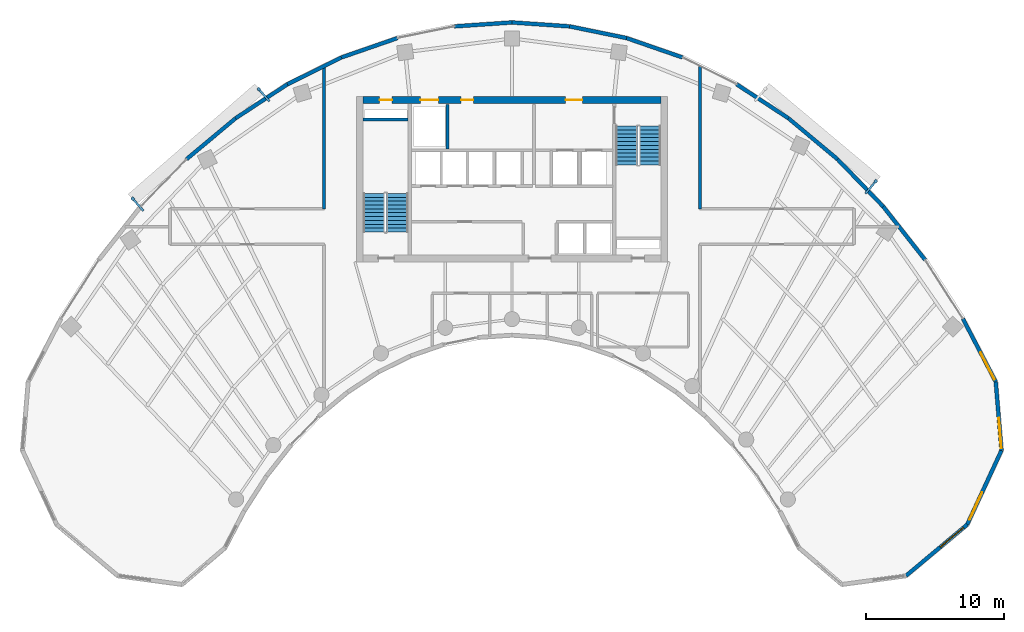
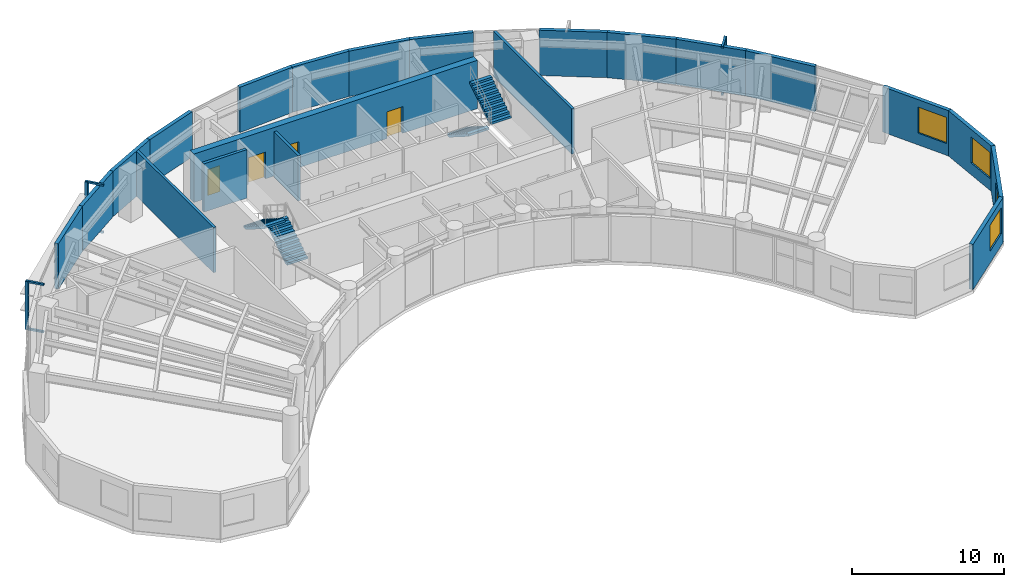
# One storey, part 10 of 13: 21 walls, 9 discrete accessories, 4 doors, 4 stair flights, 4 windows, 8 openings, 2 elements without a shape of their own.
"""IFC4 building model written with IfcOpenShell, lengths in metres."""

import ifcopenshell
import ifcopenshell.guid

model = None  # the IFC model being written
_history = None  # IfcOwnerHistory: only IFC2X3 demands one
_inside = {}  # id of a spatial element -> (the spatial element, [elements in it])
_under = {}  # id of a project, library or spatial element -> (it, [spatial elements below it])
_declared = {}  # id of a project -> (the project, [libraries it declares])
_typed = {}  # id of a type object -> (the type object, [elements of that type])
_made_of = {}  # id of a material, layer set ... -> (it, [elements and type objects made of it])


def new_model(schema):
    """Start an empty IFC model of exactly this schema.

    Asked for "IFC4X3", IfcOpenShell would pick the latest addendum, in which some entities
    have other attributes; the version numbers below select the first issue.
    IFC2X3 requires an IfcOwnerHistory on every rooted entity: one is made here for all.
    """
    global model, _history
    if schema == "IFC4X3":
        model = ifcopenshell.file(schema_version=(4, 3, 0, 0))
    else:
        model = ifcopenshell.file(schema=schema)
    _inside.clear()
    _under.clear()
    _declared.clear()
    _typed.clear()
    _made_of.clear()
    _history = None
    if model.schema == "IFC2X3":
        org = make("IfcOrganization", Name="unknown")
        user = make(
            "IfcPersonAndOrganization",
            ThePerson=make("IfcPerson", FamilyName="unknown"),
            TheOrganization=org,
        )
        app = make(
            "IfcApplication",
            ApplicationDeveloper=org,
            Version="unknown",
            ApplicationFullName="unknown",
            ApplicationIdentifier="unknown",
        )
        _history = make(
            "IfcOwnerHistory",
            OwningUser=user,
            OwningApplication=app,
            ChangeAction="ADDED",
            CreationDate=0,
        )
    return model


def make(cls, **values):
    """One entity of the class cls with the attributes given. An attribute that is None is left unset."""
    return model.create_entity(
        cls, **{name: value for name, value in values.items() if value is not None}
    )


def rooted(cls, **values):
    """An entity with a GlobalId (a new one), such as an element, a storey or a relation."""
    return make(cls, GlobalId=ifcopenshell.guid.new(), OwnerHistory=_history, **values)


def si_unit(unit_type, name, prefix=None):
    """IfcSIUnit, for example si_unit("LENGTHUNIT", "METRE", prefix="MILLI")."""
    return make("IfcSIUnit", UnitType=unit_type, Prefix=prefix, Name=name)


def assignment(units):
    """IfcUnitAssignment: the units of a project."""
    return None if units is None else make("IfcUnitAssignment", Units=units)


def point(xyz):
    """IfcCartesianPoint."""
    return None if xyz is None else make("IfcCartesianPoint", Coordinates=xyz)


def direction(xyz):
    """IfcDirection."""
    return None if xyz is None else make("IfcDirection", DirectionRatios=xyz)


def frame(location, z_axis=None, x_axis=None):
    """IfcAxis2Placement3D, a coordinate frame: its origin and axes. An axis left out is left unset."""
    return make(
        "IfcAxis2Placement3D",
        Location=point(location),
        Axis=direction(z_axis),
        RefDirection=direction(x_axis),
    )


def frame_2d(location, x_axis=None):
    """IfcAxis2Placement2D, a coordinate frame in the plane: its origin and x axis."""
    return make(
        "IfcAxis2Placement2D", Location=point(location), RefDirection=direction(x_axis)
    )


def origin():
    """The frame at (0, 0, 0) with its axes left unset."""
    return frame((0.0, 0.0, 0.0))


def origin_2d():
    """The frame at (0, 0) in the plane with its x axis left unset."""
    return frame_2d((0.0, 0.0))


def place(relative_to, where):
    """IfcLocalPlacement: puts the frame where relative to a parent placement (None: the world)."""
    return make(
        "IfcLocalPlacement", PlacementRelTo=relative_to, RelativePlacement=where
    )


def context(
    kind, dimensions, precision=None, world=None, true_north=None, identifier=None
):
    """IfcGeometricRepresentationContext, for example the 3D "Model" context."""
    return make(
        "IfcGeometricRepresentationContext",
        ContextIdentifier=identifier,
        ContextType=kind,
        CoordinateSpaceDimension=dimensions,
        Precision=precision,
        WorldCoordinateSystem=world,
        TrueNorth=true_north,
    )


def subcontext(parent, identifier, kind, view, scale=None):
    """IfcGeometricRepresentationSubContext, for example "Body" below "Model"."""
    return make(
        "IfcGeometricRepresentationSubContext",
        ContextIdentifier=identifier,
        ContextType=kind,
        ParentContext=parent,
        TargetScale=scale,
        TargetView=view,
    )


def project(units=None, contexts=None):
    """IfcProject with its units and contexts."""
    return rooted(
        "IfcProject",
        Name="project",
        RepresentationContexts=contexts,
        UnitsInContext=assignment(units),
    )


def spatial(cls, under=None, at=None, **own):
    """A site, building, storey or space (cls), placed at a placement, below another one or the project."""
    s = rooted(cls, ObjectPlacement=at, **own)
    if under is not None:
        _under.setdefault(under.id(), (under, []))[1].append(s)
    return s


def polyline(points):
    """IfcPolyline through the points."""
    return make("IfcPolyline", Points=[point(p) for p in points])


def profile(cls, at=None, kind="AREA", **sizes):
    """A parametric profile (cls). Its sizes go by their IFC names, for example OverallWidth=200.0."""
    return make(cls, ProfileType=kind, Position=at, **sizes)


def rectangle(**sizes):
    """IfcRectangleProfileDef."""
    return profile("IfcRectangleProfileDef", **sizes)


def outline(outer, holes=None, kind="AREA"):
    """IfcArbitraryClosedProfileDef: a profile drawn as a closed curve; with holes, ...WithVoids."""
    if holes is None:
        return make("IfcArbitraryClosedProfileDef", ProfileType=kind, OuterCurve=outer)
    return make(
        "IfcArbitraryProfileDefWithVoids",
        ProfileType=kind,
        OuterCurve=outer,
        InnerCurves=holes,
    )


def extrude(swept, where, along, depth):
    """IfcExtrudedAreaSolid: the profile swept, set in the frame where, extruded along a direction by depth."""
    return make(
        "IfcExtrudedAreaSolid",
        SweptArea=swept,
        Position=where,
        ExtrudedDirection=direction(along),
        Depth=depth,
    )


def shape(context_of_items, identifier, shape_type, items):
    """IfcShapeRepresentation: the items that make up one representation, for example the "Body"."""
    return make(
        "IfcShapeRepresentation",
        ContextOfItems=context_of_items,
        RepresentationIdentifier=identifier,
        RepresentationType=shape_type,
        Items=items,
    )


def source(mapping_origin, context_of_items, identifier, shape_type, items):
    """IfcRepresentationMap: a shape defined once, which mapped items show again and again."""
    return make(
        "IfcRepresentationMap",
        MappingOrigin=mapping_origin,
        MappedRepresentation=shape(context_of_items, identifier, shape_type, items),
    )


def transform(
    local_origin,
    x_axis=None,
    y_axis=None,
    z_axis=None,
    scale=None,
    scale2=None,
    scale3=None,
    uniform=True,
):
    """IfcCartesianTransformationOperator3D, or its non-uniform kind. x_axis, y_axis, z_axis: its Axis1, 2, 3."""
    if uniform:
        return make(
            "IfcCartesianTransformationOperator3D",
            Axis1=direction(x_axis),
            Axis2=direction(y_axis),
            LocalOrigin=point(local_origin),
            Scale=scale,
            Axis3=direction(z_axis),
        )
    return make(
        "IfcCartesianTransformationOperator3DnonUniform",
        Axis1=direction(x_axis),
        Axis2=direction(y_axis),
        LocalOrigin=point(local_origin),
        Scale=scale,
        Axis3=direction(z_axis),
        Scale2=scale2,
        Scale3=scale3,
    )


def mapped(mapping_source, mapping_target):
    """IfcMappedItem: shows the shape of a source again, moved by a transform."""
    return make(
        "IfcMappedItem", MappingSource=mapping_source, MappingTarget=mapping_target
    )


def material(Name=None, Category=None):
    """IfcMaterial."""
    return make("IfcMaterial", Name=Name, Category=Category)


def layer(
    of_material, thickness, ventilated=None, Name=None, Category=None, Priority=None
):
    """IfcMaterialLayer: one layer of a wall or slab, of a material (None: an air gap)."""
    return make(
        "IfcMaterialLayer",
        Material=of_material,
        LayerThickness=thickness,
        IsVentilated=ventilated,
        Name=Name,
        Category=Category,
        Priority=Priority,
    )


def layer_set(layers, Name=None):
    """IfcMaterialLayerSet."""
    return make("IfcMaterialLayerSet", MaterialLayers=layers, LayerSetName=Name)


def made_of(thing, what):
    """Note that an element or type object is made of a material, layer set ...; save() writes the relation."""
    if what is not None:
        _made_of.setdefault(what.id(), (what, []))[1].append(thing)
    return thing


def type_object(cls, material=None, **own):
    """A type object (cls), such as IfcWallType, which elements share."""
    return made_of(rooted(cls, **own), material)


def type_shapes(of_type, sources):
    """Give a type object the sources (RepresentationMaps) that its elements show as mapped items."""
    of_type.RepresentationMaps = sources


def element(
    cls,
    number,
    at=None,
    inside=None,
    cuts=None,
    type_object=None,
    material=None,
    context=None,
    identifier="Body",
    shape_type=None,
    held_by="IfcProductDefinitionShape",
    body=None,
    shapes=None,
    **own,
):
    """One element of the class cls, such as IfcWall. Its Tag is "e" and its number.

    at: its placement. inside: the storey or other place that contains it. cuts: it is an
    opening in that element (IfcRelVoidsElement). A single representation is given by context,
    identifier, shape_type and body (its items); several are given by shapes. held_by: the class
    of the entity that holds the representations. save() writes the other relations.
    """
    e = rooted(cls, Tag="e%d" % number, ObjectPlacement=at, **own)
    if body is not None:
        shapes = [shape(context, identifier, shape_type, body)]
    if shapes is not None:
        e.Representation = make(held_by, Representations=shapes)
    if inside is not None:
        _inside.setdefault(inside.id(), (inside, []))[1].append(e)
    if cuts is not None:
        rooted(
            "IfcRelVoidsElement", RelatingBuildingElement=cuts, RelatedOpeningElement=e
        )
    if type_object is not None:
        _typed.setdefault(type_object.id(), (type_object, []))[1].append(e)
    return made_of(e, material)


def fill(opening, filler):
    """IfcRelFillsElement: the door or window that sits in an opening."""
    return rooted(
        "IfcRelFillsElement",
        RelatingOpeningElement=opening,
        RelatedBuildingElement=filler,
    )


def aggregate(whole, parts):
    """IfcRelAggregates: a whole, such as a stair, and the parts it consists of."""
    return rooted("IfcRelAggregates", RelatingObject=whole, RelatedObjects=parts)


def save(model, path):
    """Write the relations noted so far, then the file.

    IfcRelAggregates (storeys below a building ...), IfcRelContainedInSpatialStructure (elements
    in a storey), IfcRelDefinesByType, IfcRelAssociatesMaterial and IfcRelDeclares: one each for
    every whole, place, type object, material and project.
    """
    for whole, parts in _under.values():
        aggregate(whole, parts)
    for where, things in _inside.values():
        rooted(
            "IfcRelContainedInSpatialStructure",
            RelatedElements=things,
            RelatingStructure=where,
        )
    for kind, things in _typed.values():
        rooted("IfcRelDefinesByType", RelatedObjects=things, RelatingType=kind)
    for what, things in _made_of.values():
        rooted("IfcRelAssociatesMaterial", RelatedObjects=things, RelatingMaterial=what)
    for by, libraries in _declared.values():
        rooted("IfcRelDeclares", RelatingContext=by, RelatedDefinitions=libraries)
    model.write(path)


model = new_model("IFC4")

# Units and contexts
model_context = context("Model", 3, precision=1e-05, world=origin(), true_north=direction((0.0, 1.0)))
body_context = subcontext(model_context, "Body", "Model", "MODEL_VIEW")
ifc_project = project(units=[si_unit("LENGTHUNIT", "METRE"), si_unit("AREAUNIT", "SQUARE_METRE"), si_unit("VOLUMEUNIT", "CUBIC_METRE"), si_unit("PLANEANGLEUNIT", "RADIAN"), si_unit("MASSUNIT", "GRAM", prefix="KILO")], contexts=[model_context])

# Site, building, storey
site_placement = place(None, origin())
site = spatial("IfcSite", under=ifc_project, at=site_placement, CompositionType="ELEMENT")
building_placement = place(site_placement, origin())
building = spatial("IfcBuilding", under=site, at=building_placement, Name="Breltana Convention Tower", CompositionType="ELEMENT")
storey_placement = place(building_placement, frame((0.0, 0.0, 162.300048828125)))
storey = spatial("IfcBuildingStorey", under=building, at=storey_placement, Name="L39", CompositionType="ELEMENT", Elevation=162.300048828125)

# Wall, openings, doors
ifc_material_1 = material(Name="Concrete C60/75", Category="concrete")
ifc_layer_1 = layer(ifc_material_1, 0.5, Name="Concrete C60/75")
ifc_layer_set_1 = layer_set([ifc_layer_1], Name="Concrete C60/75")
wall_type_1 = type_object("IfcWallType", Name="SW-CORE-500", PredefinedType="SHEAR", material=ifc_layer_set_1)
shared_shape_1 = source(origin(), body_context, "Body", "SweptSolid", [
    extrude(rectangle(XDim=21.60009765625, YDim=0.5, at=frame_2d((10.800048828125, 0.0))), origin(), (0.0, 0.0, 1.0), 3.89990234375),
])
wall_1_placement = place(storey_placement, frame((37.199951171875, 71.949951171875, 0.0), z_axis=(0.0, 0.0, 1.0), x_axis=(1.0, 0.0, 0.0)))
wall_1 = element("IfcWall", 1, at=wall_1_placement, inside=storey, type_object=wall_type_1, Name="L39 North Core Shear Wall", PredefinedType="SHEAR", context=body_context, shape_type="MappedRepresentation", body=[
    mapped(shared_shape_1, transform((0.0, 0.0, 0.0), scale=1.0)),
])
opening_1_placement = place(wall_1_placement, frame((1.199951171875, 0.0, 0.0)))
opening_1 = element("IfcOpeningElement", 2, at=opening_1_placement, cuts=wall_1, Name="Opening D-18", PredefinedType="OPENING", context=body_context, shape_type="SweptSolid", body=[
    extrude(rectangle(XDim=0.89990234375, YDim=2.10009765625, at=frame_2d((0.449951171875, 1.050048828125))), frame((0.0, 0.260009765625, 0.0), z_axis=(0.0, -1.0, 0.0), x_axis=(1.0, 0.0, 0.0)), (0.0, 0.0, 1.0), 0.52001953125),
])
opening_2_placement = place(wall_1_placement, frame((14.699951171875, 0.0, 0.0)))
opening_2 = element("IfcOpeningElement", 3, at=opening_2_placement, cuts=wall_1, Name="Opening D-09", PredefinedType="OPENING", context=body_context, shape_type="SweptSolid", body=[
    extrude(rectangle(XDim=1.199951171875, YDim=2.14990234375, at=frame_2d((0.60009765625, 1.074951171875))), frame((0.0, 0.260009765625, 0.0), z_axis=(0.0, -1.0, 0.0), x_axis=(1.0, 0.0, 0.0)), (0.0, 0.0, 1.0), 0.52001953125),
])
opening_3_placement = place(wall_1_placement, frame((4.14990234375, 0.0, 0.0)))
opening_3 = element("IfcOpeningElement", 4, at=opening_3_placement, cuts=wall_1, Name="Opening LD-01", PredefinedType="OPENING", context=body_context, shape_type="SweptSolid", body=[
    extrude(rectangle(XDim=1.300048828125, YDim=2.14990234375, at=frame_2d((0.64990234375, 1.074951171875))), frame((0.0, 0.260009765625, 0.0), z_axis=(0.0, -1.0, 0.0), x_axis=(1.0, 0.0, 0.0)), (0.0, 0.0, 1.0), 0.52001953125),
])
opening_4_placement = place(wall_1_placement, frame((7.10009765625, 0.0, 0.0)))
opening_4 = element("IfcOpeningElement", 5, at=opening_4_placement, cuts=wall_1, Name="Opening D-18", PredefinedType="OPENING", context=body_context, shape_type="SweptSolid", body=[
    extrude(rectangle(XDim=0.89990234375, YDim=2.10009765625, at=frame_2d((0.449951171875, 1.050048828125))), frame((0.0, 0.260009765625, 0.0), z_axis=(0.0, -1.0, 0.0), x_axis=(1.0, 0.0, 0.0)), (0.0, 0.0, 1.0), 0.52001953125),
])
ifc_material_2 = material(Name="Steel Riser Fire Door", Category="steel")
door_type_1 = type_object("IfcDoorType", Name="DR-FD60-900", OperationType="NOTDEFINED", PredefinedType="DOOR", material=ifc_material_2)
shared_shape_2 = source(origin(), body_context, "Body", "SweptSolid", [
    extrude(rectangle(XDim=0.89990234375, YDim=2.10009765625, at=frame_2d((0.449951171875, 1.050048828125))), frame((0.0, 0.02490234375, 0.0), z_axis=(0.0, -1.0, 0.0), x_axis=(1.0, 0.0, 0.0)), (0.0, 0.0, 1.0), 0.050048828125),
])
type_shapes(door_type_1, [shared_shape_2])
door_1_placement = place(opening_1_placement, origin())
door_1 = element("IfcDoor", 6, at=door_1_placement, inside=storey, type_object=door_type_1, Name="L39 Core Riser Access Door D-L39-RS1", OperationType="SINGLE_SWING_LEFT", OverallHeight=2.10009765625, OverallWidth=0.89990234375, PredefinedType="DOOR", context=body_context, shape_type="MappedRepresentation", body=[
    mapped(shared_shape_2, transform((0.0, 0.0, 0.0), scale=1.0)),
])
fill(opening_1, door_1)
door_2_placement = place(opening_4_placement, origin())
door_2 = element("IfcDoor", 7, at=door_2_placement, inside=storey, type_object=door_type_1, Name="L39 interior door D-L39-CRA1", OperationType="SINGLE_SWING_LEFT", OverallHeight=2.10009765625, OverallWidth=0.89990234375, PredefinedType="DOOR", context=body_context, shape_type="MappedRepresentation", body=[
    mapped(shared_shape_2, transform((0.0, 0.0, 0.0), scale=1.0)),
])
fill(opening_4, door_2)
ifc_material_3 = material(Name="Steel Fire Lobby Door", Category="steel")
door_type_2 = type_object("IfcDoorType", Name="DR-FD120-1200", OperationType="NOTDEFINED", PredefinedType="DOOR", material=ifc_material_3)
shared_shape_3 = source(origin(), body_context, "Body", "SweptSolid", [
    extrude(rectangle(XDim=1.199951171875, YDim=2.14990234375, at=frame_2d((0.60009765625, 1.074951171875))), frame((0.0, 0.02490234375, 0.0), z_axis=(0.0, -1.0, 0.0), x_axis=(1.0, 0.0, 0.0)), (0.0, 0.0, 1.0), 0.050048828125),
])
type_shapes(door_type_2, [shared_shape_3])
door_3_placement = place(opening_2_placement, origin())
door_3 = element("IfcDoor", 8, at=door_3_placement, inside=storey, type_object=door_type_2, Name="L39 interior door D-L39-FFL-N", OperationType="SINGLE_SWING_RIGHT", OverallHeight=2.14990234375, OverallWidth=1.199951171875, PredefinedType="DOOR", context=body_context, shape_type="MappedRepresentation", body=[
    mapped(shared_shape_3, transform((0.0, 0.0, 0.0), scale=1.0)),
])
fill(opening_2, door_3)
ifc_material_4 = material(Name="Stainless Steel Brushed", Category="steel")
door_type_3 = type_object("IfcDoorType", Name="DR-LD-SRV-1300", OperationType="DOUBLE_DOOR_SLIDING", PredefinedType="DOOR", material=ifc_material_4)
shared_shape_4 = source(origin(), body_context, "Body", "SweptSolid", [
    extrude(rectangle(XDim=1.300048828125, YDim=2.14990234375, at=frame_2d((0.64990234375, 1.074951171875))), frame((0.0, 0.02490234375, 0.0), z_axis=(0.0, -1.0, 0.0), x_axis=(1.0, 0.0, 0.0)), (0.0, 0.0, 1.0), 0.050048828125),
])
type_shapes(door_type_3, [shared_shape_4])
door_4_placement = place(opening_3_placement, origin())
door_4 = element("IfcDoor", 9, at=door_4_placement, inside=storey, type_object=door_type_3, Name="L39 Lift Landing Door D-L39-LD-SV1", OperationType="DOUBLE_DOOR_SLIDING", OverallHeight=2.14990234375, OverallWidth=1.300048828125, PredefinedType="DOOR", context=body_context, shape_type="MappedRepresentation", body=[
    mapped(shared_shape_4, transform((0.0, 0.0, 0.0), scale=1.0)),
])
fill(opening_3, door_4)

# Wall
ifc_material_5 = material(Name="Concrete C50/60", Category="concrete")
ifc_layer_2 = layer(ifc_material_5, 0.39990234375, Name="Concrete C50/60")
ifc_layer_set_2 = layer_set([ifc_layer_2], Name="Concrete C50/60")
wall_type_2 = type_object("IfcWallType", Name="SW-CORE-400", PredefinedType="SHEAR", material=ifc_layer_set_2)
shared_shape_5 = source(origin(), body_context, "Body", "SweptSolid", [
    extrude(rectangle(XDim=3.27001953125, YDim=0.219970703125, at=frame_2d((1.635009765625, 0.0))), origin(), (0.0, 0.0, 1.0), 3.89990234375),
])
wall_2_placement = place(storey_placement, frame((37.199951171875, 70.510009765625, 0.0), z_axis=(0.0, 0.0, 1.0), x_axis=(1.0, 0.0, 0.0)))
element("IfcWall", 10, at=wall_2_placement, inside=storey, type_object=wall_type_2, Name="L39 ST-1 Stairwell North Bearing Wall", PredefinedType="SHEAR", context=body_context, shape_type="MappedRepresentation", body=[
    mapped(shared_shape_5, transform((0.0, 0.0, 0.0), scale=1.0)),
])

# Wall, opening, window
ifc_material_6 = material(Name="Limestone Buff Insulated Wall", Category="masonry")
ifc_layer_3 = layer(ifc_material_6, 0.280029296875, Name="Limestone Buff Insulated Wall")
ifc_layer_set_3 = layer_set([ifc_layer_3], Name="Limestone Buff Insulated Wall")
wall_type_3 = type_object("IfcWallType", Name="WL-EXT-NOSE-280", PredefinedType="SOLIDWALL", material=ifc_layer_set_3)
shared_shape_6 = source(origin(), body_context, "Body", "SweptSolid", [
    extrude(rectangle(XDim=4.994384765625, YDim=0.280029296875, at=frame_2d((2.4970703125, 0.0))), origin(), (0.0, 0.0, 1.0), 3.64990234375),
])
wall_3_placement = place(storey_placement, frame((83.102294921875, 51.48876953125, 0.0), z_axis=(0.0, 0.0, 1.0), x_axis=(0.083344839916, -0.996520766296, 0.0)))
wall_3 = element("IfcWall", 11, at=wall_3_placement, inside=storey, type_object=wall_type_3, Name="L39 curved limestone nose wall E1", PredefinedType="SOLIDWALL", context=body_context, shape_type="MappedRepresentation", body=[
    mapped(shared_shape_6, transform((0.0, 0.0, 0.0), scale=1.0)),
])
opening_5_placement = place(wall_3_placement, frame((2.634521484375, 0.0, 0.949951171875)))
opening_5 = element("IfcOpeningElement", 12, at=opening_5_placement, cuts=wall_3, Name="Opening W-03", PredefinedType="OPENING", context=body_context, shape_type="SweptSolid", body=[
    extrude(rectangle(XDim=2.199951171875, YDim=2.10009765625, at=frame_2d((1.10009765625, 1.050048828125))), frame((0.0, 0.14990234375, 0.0), z_axis=(0.0, -1.0, 0.0), x_axis=(1.0, 0.0, 0.0)), (0.0, 0.0, 1.0), 0.300048828125),
])
ifc_material_7 = material(Name="Glass Low-E Insulated Window", Category="glass")
window_type = type_object("IfcWindowType", Name="WN-NOSE-2200X2100", PartitioningType="TRIPLE_PANEL_VERTICAL", PredefinedType="WINDOW", material=ifc_material_7)
shared_shape_7 = source(origin(), body_context, "Body", "SweptSolid", [
    extrude(rectangle(XDim=2.199951171875, YDim=2.10009765625, at=frame_2d((1.10009765625, 1.050048828125))), frame((0.0, 0.030029296875, 0.0), z_axis=(0.0, -1.0, 0.0), x_axis=(1.0, 0.0, 0.0)), (0.0, 0.0, 1.0), 0.06005859375),
])
type_shapes(window_type, [shared_shape_7])
window_1_placement = place(opening_5_placement, origin())
window_1 = element("IfcWindow", 13, at=window_1_placement, inside=storey, type_object=window_type, Name="L39 nose window E1", OverallHeight=2.10009765625, OverallWidth=2.199951171875, PartitioningType="TRIPLE_PANEL_VERTICAL", PredefinedType="WINDOW", context=body_context, shape_type="MappedRepresentation", body=[
    mapped(shared_shape_7, transform((0.0, 0.0, 0.0), scale=1.0)),
])
fill(opening_5, window_1)

shared_shape_8 = source(origin(), body_context, "Body", "SweptSolid", [
    extrude(rectangle(XDim=5.927490234375, YDim=0.280029296875, at=frame_2d((2.9638671875, 0.0))), origin(), (0.0, 0.0, 1.0), 3.64990234375),
])
wall_4_placement = place(storey_placement, frame((83.5185546875, 46.51171875, 0.0), z_axis=(0.0, 0.0, 1.0), x_axis=(-0.419656204795, -0.907683132914, 0.0)))
wall_4 = element("IfcWall", 14, at=wall_4_placement, inside=storey, type_object=wall_type_3, Name="L39 curved limestone nose wall E2", PredefinedType="SOLIDWALL", context=body_context, shape_type="MappedRepresentation", body=[
    mapped(shared_shape_8, transform((0.0, 0.0, 0.0), scale=1.0)),
])
opening_6_placement = place(wall_4_placement, frame((3.345703125, 0.0, 0.949951171875)))
opening_6 = element("IfcOpeningElement", 15, at=opening_6_placement, cuts=wall_4, Name="Opening W-03", PredefinedType="OPENING", context=body_context, shape_type="SweptSolid", body=[
    extrude(rectangle(XDim=2.199951171875, YDim=2.10009765625, at=frame_2d((1.10009765625, 1.050048828125))), frame((0.0, 0.14990234375, 0.0), z_axis=(0.0, -1.0, 0.0), x_axis=(1.0, 0.0, 0.0)), (0.0, 0.0, 1.0), 0.300048828125),
])
window_2_placement = place(opening_6_placement, origin())
window_2 = element("IfcWindow", 16, at=window_2_placement, inside=storey, type_object=window_type, Name="L39 nose window E2", OverallHeight=2.10009765625, OverallWidth=2.199951171875, PartitioningType="TRIPLE_PANEL_VERTICAL", PredefinedType="WINDOW", context=body_context, shape_type="MappedRepresentation", body=[
    mapped(shared_shape_7, transform((0.0, 0.0, 0.0), scale=1.0)),
])
fill(opening_6, window_2)

shared_shape_9 = source(origin(), body_context, "Body", "SweptSolid", [
    extrude(rectangle(XDim=5.786376953125, YDim=0.280029296875, at=frame_2d((2.89306640625, 0.0))), origin(), (0.0, 0.0, 1.0), 3.64990234375),
])
wall_5_placement = place(storey_placement, frame((81.031005859375, 41.13134765625, 0.0), z_axis=(0.0, 0.0, 1.0), x_axis=(-0.766711306852, -0.641992034176, 0.0)))
wall_5 = element("IfcWall", 17, at=wall_5_placement, inside=storey, type_object=wall_type_3, Name="L39 curved limestone nose wall E3", PredefinedType="SOLIDWALL", context=body_context, shape_type="MappedRepresentation", body=[
    mapped(shared_shape_9, transform((0.0, 0.0, 0.0), scale=1.0)),
])
opening_7_placement = place(wall_5_placement, frame((0.3466796875, 0.0, 0.949951171875)))
opening_7 = element("IfcOpeningElement", 18, at=opening_7_placement, cuts=wall_5, Name="Opening W-03", PredefinedType="OPENING", context=body_context, shape_type="SweptSolid", body=[
    extrude(rectangle(XDim=2.199951171875, YDim=2.10009765625, at=frame_2d((1.10009765625, 1.050048828125))), frame((0.0, 0.14990234375, 0.0), z_axis=(0.0, -1.0, 0.0), x_axis=(1.0, 0.0, 0.0)), (0.0, 0.0, 1.0), 0.300048828125),
])
window_3_placement = place(opening_7_placement, origin())
window_3 = element("IfcWindow", 19, at=window_3_placement, inside=storey, type_object=window_type, Name="L39 nose window E3", OverallHeight=2.10009765625, OverallWidth=2.199951171875, PartitioningType="TRIPLE_PANEL_VERTICAL", PredefinedType="WINDOW", context=body_context, shape_type="MappedRepresentation", body=[
    mapped(shared_shape_7, transform((0.0, 0.0, 0.0), scale=1.0)),
])
fill(opening_7, window_3)

shared_shape_10 = source(origin(), body_context, "Body", "SweptSolid", [
    extrude(rectangle(XDim=5.1708984375, YDim=0.280029296875, at=frame_2d((2.58544921875, 0.0))), origin(), (0.0, 0.0, 1.0), 3.64990234375),
])
wall_6_placement = place(storey_placement, frame((80.714599609375, 56.075439453125, 0.0), z_axis=(0.0, 0.0, 1.0), x_axis=(0.461752581363, -0.887008767491, 0.0)))
wall_6 = element("IfcWall", 20, at=wall_6_placement, inside=storey, type_object=wall_type_3, Name="L39 curved limestone nose wall E33", PredefinedType="SOLIDWALL", context=body_context, shape_type="MappedRepresentation", body=[
    mapped(shared_shape_10, transform((0.0, 0.0, 0.0), scale=1.0)),
])
opening_8_placement = place(wall_6_placement, frame((2.7783203125, 0.0, 0.949951171875)))
opening_8 = element("IfcOpeningElement", 21, at=opening_8_placement, cuts=wall_6, Name="Opening W-03", PredefinedType="OPENING", context=body_context, shape_type="SweptSolid", body=[
    extrude(rectangle(XDim=2.199951171875, YDim=2.10009765625, at=frame_2d((1.10009765625, 1.050048828125))), frame((0.0, 0.14990234375, 0.0), z_axis=(0.0, -1.0, 0.0), x_axis=(1.0, 0.0, 0.0)), (0.0, 0.0, 1.0), 0.300048828125),
])
window_4_placement = place(opening_8_placement, origin())
window_4 = element("IfcWindow", 22, at=window_4_placement, inside=storey, type_object=window_type, Name="L39 nose window E33", OverallHeight=2.10009765625, OverallWidth=2.199951171875, PartitioningType="TRIPLE_PANEL_VERTICAL", PredefinedType="WINDOW", context=body_context, shape_type="MappedRepresentation", body=[
    mapped(shared_shape_7, transform((0.0, 0.0, 0.0), scale=1.0)),
])
fill(opening_8, window_4)

# Walls
shared_shape_11 = source(origin(), body_context, "Body", "SweptSolid", [
    extrude(rectangle(XDim=4.921630859375, YDim=0.280029296875, at=frame_2d((2.4609375, 0.0))), origin(), (0.0, 0.0, 1.0), 3.64990234375),
])
wall_7_placement = place(storey_placement, frame((74.936279296875, 64.206298828125, 0.0), z_axis=(0.0, 0.0, 1.0), x_axis=(0.61817639101, -0.786039407153, 0.0)))
element("IfcWall", 23, at=wall_7_placement, inside=storey, type_object=wall_type_3, Name="L39 curved limestone nose wall E32", PredefinedType="SOLIDWALL", context=body_context, shape_type="MappedRepresentation", body=[
    mapped(shared_shape_11, transform((0.0, 0.0, 0.0), scale=1.0)),
])
shared_shape_12 = source(origin(), body_context, "Body", "SweptSolid", [
    extrude(rectangle(XDim=4.77587890625, YDim=0.280029296875, at=frame_2d((2.387939453125, 0.0))), origin(), (0.0, 0.0, 1.0), 3.64990234375),
])
wall_8_placement = place(storey_placement, frame((71.618896484375, 67.64208984375, 0.0), z_axis=(0.0, 0.0, 1.0), x_axis=(0.694601811851, -0.719394414055, 0.0)))
element("IfcWall", 24, at=wall_8_placement, inside=storey, type_object=wall_type_3, Name="L39 curved limestone nose wall E31", PredefinedType="SOLIDWALL", context=body_context, shape_type="MappedRepresentation", body=[
    mapped(shared_shape_12, transform((0.0, 0.0, 0.0), scale=1.0)),
])
shared_shape_13 = source(origin(), body_context, "Body", "SweptSolid", [
    extrude(rectangle(XDim=4.633544921875, YDim=0.280029296875, at=frame_2d((2.31689453125, 0.0))), origin(), (0.0, 0.0, 1.0), 3.64990234375),
])
for number, where, z_axis, x_axis, name in (
    (25, (24.381103515625, 67.64208984375, 0.0), (0.0, 0.0, 1.0), (0.767910229096, 0.640557475993, 0.0), "L39 curved limestone nose wall E21"),
    (26, (68.060791015625, 70.610107421875, 0.0), (0.0, 0.0, 1.0), (0.767910229096, -0.640557475993, 0.0), "L39 curved limestone nose wall E30"),
):
    element("IfcWall", number, at=place(storey_placement, frame(where, z_axis=z_axis, x_axis=x_axis)), inside=storey, type_object=wall_type_3, Name=name, PredefinedType="SOLIDWALL", context=body_context, shape_type="MappedRepresentation", body=[
        mapped(shared_shape_13, transform((0.0, 0.0, 0.0), scale=1.0)),
    ])
shared_shape_14 = source(origin(), body_context, "Body", "SweptSolid", [
    extrude(rectangle(XDim=4.500732421875, YDim=0.280029296875, at=frame_2d((2.25048828125, 0.0))), origin(), (0.0, 0.0, 1.0), 3.64990234375),
])
for number, where, z_axis, x_axis, name in (
    (27, (27.939208984375, 70.610107421875, 0.0), (0.0, 0.0, 1.0), (0.835984920737, 0.548752414391, 0.0), "L39 curved limestone nose wall E22"),
    (28, (64.29833984375, 73.079833984375, 0.0), (0.0, 0.0, 1.0), (0.835984920737, -0.548752414391, 0.0), "L39 curved limestone nose wall E29"),
):
    element("IfcWall", number, at=place(storey_placement, frame(where, z_axis=z_axis, x_axis=x_axis)), inside=storey, type_object=wall_type_3, Name=name, PredefinedType="SOLIDWALL", context=body_context, shape_type="MappedRepresentation", body=[
        mapped(shared_shape_14, transform((0.0, 0.0, 0.0), scale=1.0)),
    ])
shared_shape_15 = source(origin(), body_context, "Body", "SweptSolid", [
    extrude(rectangle(XDim=4.289794921875, YDim=0.280029296875, at=frame_2d((2.14501953125, 0.0))), origin(), (0.0, 0.0, 1.0), 3.64990234375),
])
for number, where, z_axis, x_axis, name in (
    (29, (35.629638671875, 75.02685546875, 0.0), (0.0, 0.0, 1.0), (0.944883859218, 0.3274057003, 0.0), "L39 curved limestone nose wall E24"),
    (30, (56.31689453125, 76.431396484375, 0.0), (0.0, 0.0, 1.0), (0.944883859218, -0.3274057003, 0.0), "L39 curved limestone nose wall E28"),
):
    element("IfcWall", number, at=place(storey_placement, frame(where, z_axis=z_axis, x_axis=x_axis)), inside=storey, type_object=wall_type_3, Name=name, PredefinedType="SOLIDWALL", context=body_context, shape_type="MappedRepresentation", body=[
        mapped(shared_shape_15, transform((0.0, 0.0, 0.0), scale=1.0)),
    ])
shared_shape_16 = source(origin(), body_context, "Body", "SweptSolid", [
    extrude(rectangle(XDim=4.223388671875, YDim=0.280029296875, at=frame_2d((2.11181640625, 0.0))), origin(), (0.0, 0.0, 1.0), 3.64990234375),
])
wall_9_placement = place(storey_placement, frame((52.1796875, 77.27978515625, 0.0), z_axis=(0.0, 0.0, 1.0), x_axis=(0.979615245085, -0.200882979858, 0.0)))
element("IfcWall", 31, at=wall_9_placement, inside=storey, type_object=wall_type_3, Name="L39 curved limestone nose wall E27", PredefinedType="SOLIDWALL", context=body_context, shape_type="MappedRepresentation", body=[
    mapped(shared_shape_16, transform((0.0, 0.0, 0.0), scale=1.0)),
])
shared_shape_17 = source(origin(), body_context, "Body", "SweptSolid", [
    extrude(rectangle(XDim=4.189208984375, YDim=0.280029296875, at=frame_2d((2.0947265625, 0.0))), origin(), (0.0, 0.0, 1.0), 3.64990234375),
])
for number, where, z_axis, x_axis, name in (
    (32, (43.8203125, 77.27978515625, 0.0), (0.0, 0.0, 1.0), (0.997700560699, 0.067776036921, 0.0), "L39 curved limestone nose wall E25"),
    (33, (48.0, 77.563720703125, 0.0), (0.0, 0.0, 1.0), (0.997700560699, -0.067776036921, 0.0), "L39 curved limestone nose wall E26"),
):
    element("IfcWall", number, at=place(storey_placement, frame(where, z_axis=z_axis, x_axis=x_axis)), inside=storey, type_object=wall_type_3, Name=name, PredefinedType="SOLIDWALL", context=body_context, shape_type="MappedRepresentation", body=[
        mapped(shared_shape_17, transform((0.0, 0.0, 0.0), scale=1.0)),
    ])
shared_shape_18 = source(origin(), body_context, "Body", "SweptSolid", [
    extrude(rectangle(XDim=4.384033203125, YDim=0.280029296875, at=frame_2d((2.19189453125, 0.0))), origin(), (0.0, 0.0, 1.0), 3.64990234375),
])
wall_10_placement = place(storey_placement, frame((31.70166015625, 73.079833984375, 0.0), z_axis=(0.0, 0.0, 1.0), x_axis=(0.895969968053, 0.444114643248, 0.0)))
element("IfcWall", 34, at=wall_10_placement, inside=storey, type_object=wall_type_3, Name="L39 curved limestone nose wall E23", PredefinedType="SOLIDWALL", context=body_context, shape_type="MappedRepresentation", body=[
    mapped(shared_shape_18, transform((0.0, 0.0, 0.0), scale=1.0)),
])
ifc_material_8 = material(Name="Autoclaved Aerated Concrete Block", Category="concrete")
ifc_layer_4 = layer(ifc_material_8, 0.199951171875, Name="Autoclaved Aerated Concrete Block")
ifc_layer_set_4 = layer_set([ifc_layer_4], Name="Autoclaved Aerated Concrete Block")
wall_type_4 = type_object("IfcWallType", Name="WL-SHAFT-200", PredefinedType="SOLIDWALL", material=ifc_layer_set_4)
shared_shape_19 = source(origin(), body_context, "Body", "SweptSolid", [
    extrude(rectangle(XDim=3.2001953125, YDim=0.199951171875, at=frame_2d((1.60009765625, 0.0))), origin(), (0.0, 0.0, 1.0), 3.64990234375),
])
wall_11_placement = place(storey_placement, frame((43.320068359375, 68.39990234375, 0.0), z_axis=(0.0, 0.0, 1.0), x_axis=(0.0, 1.0, 0.0)))
element("IfcWall", 35, at=wall_11_placement, inside=storey, type_object=wall_type_4, Name="L39 interior partition W-L39-SV-E", PredefinedType="SOLIDWALL", context=body_context, shape_type="MappedRepresentation", body=[
    mapped(shared_shape_19, transform((0.0, 0.0, 0.0), scale=1.0)),
])
ifc_material_9 = material(Name="Gypsum Acoustic Hotel Wall")
ifc_layer_5 = layer(ifc_material_9, 0.195068359375, Name="Gypsum Acoustic Hotel Wall")
ifc_layer_set_5 = layer_set([ifc_layer_5], Name="Gypsum Acoustic Hotel Wall")
wall_type_5 = type_object("IfcWallType", Name="WL-HOTEL-200", PredefinedType="PARTITIONING", material=ifc_layer_set_5)
shared_shape_20 = source(origin(), body_context, "Body", "SweptSolid", [
    extrude(rectangle(XDim=10.346435546875, YDim=0.195068359375, at=frame_2d((5.17333984375, 0.0))), origin(), (0.0, 0.0, 1.0), 3.64990234375),
])
for number, where, z_axis, x_axis, name in (
    (36, (34.360107421875, 64.0400390625, 0.0), (0.0, 0.0, 1.0), (0.0, 1.0, 0.0), "L39 interior partition W-L39-ZODD-WN"),
    (37, (61.639892578125, 64.0400390625, 0.0), (0.0, 0.0, 1.0), (0.0, 1.0, 0.0), "L39 interior partition W-L39-ZODD-EN"),
):
    element("IfcWall", number, at=place(storey_placement, frame(where, z_axis=z_axis, x_axis=x_axis)), inside=storey, type_object=wall_type_5, Name=name, PredefinedType="PARTITIONING", context=body_context, shape_type="MappedRepresentation", body=[
        mapped(shared_shape_20, transform((0.0, 0.0, 0.0), scale=1.0)),
    ])

# Stair, stair flights
ifc_material_10 = material(Name="Concrete C40/50", Category="concrete")
stair_type = type_object("IfcStairType", Name="ST-DOG-1560-R177", PredefinedType="HALF_TURN_STAIR", material=ifc_material_10)
stair_1_placement = place(storey_placement, origin())
stair_1 = element("IfcStair", 38, at=stair_1_placement, inside=storey, type_object=stair_type, Name="L39 Protected Core Exit Stair ST-1", PredefinedType="HALF_TURN_STAIR")
stair_flight_type = type_object("IfcStairFlightType", Name="STF-DOG-1560-N11-R177", PredefinedType="STRAIGHT", material=ifc_material_10)
stair_flight_1_placement = place(storey_placement, frame((39.68994140625, 62.360107421875, 0.0), z_axis=(0.0, 0.0, 1.0), x_axis=(0.0, 1.0, 0.0)))
stair_flight_1 = element("IfcStairFlight", 39, at=stair_flight_1_placement, type_object=stair_flight_type, Name="ST-1 flight 1", NumberOfRisers=11, NumberOfTreads=10, PredefinedType="STRAIGHT", RiserHeight=0.177272727, TreadLength=0.28, context=body_context, shape_type="SweptSolid", body=[
    extrude(outline(polyline([(0.0, 0.0), (0.0, 0.17724609375), (0.280029296875, 0.17724609375), (0.280029296875, 0.3544921875), (0.56005859375, 0.3544921875), (0.56005859375, 0.53173828125), (0.840087890625, 0.53173828125), (0.840087890625, 0.708984375), (1.1201171875, 0.708984375), (1.1201171875, 0.886474609375), (1.39990234375, 0.886474609375), (1.39990234375, 1.063720703125), (1.679931640625, 1.063720703125), (1.679931640625, 1.240966796875), (1.9599609375, 1.240966796875), (1.9599609375, 1.418212890625), (2.239990234375, 1.418212890625), (2.239990234375, 1.595458984375), (2.52001953125, 1.595458984375), (2.52001953125, 1.772705078125), (2.800048828125, 1.772705078125), (2.800048828125, 1.949951171875), (2.800048828125, 1.59521484375), (0.2802734375, 0.0), (0.0, 0.0)])), frame((0.0, 0.780029296875, 0.0), z_axis=(0.0, -1.0, 0.0), x_axis=(1.0, 0.0, 0.0)), (0.0, 0.0, 1.0), 1.56005859375),
])
stair_flight_2_placement = place(storey_placement, frame((37.97998046875, 65.159912109375, 1.949951171875), z_axis=(0.0, 0.0, 1.0), x_axis=(0.0, -1.0, 0.0)))
stair_flight_2 = element("IfcStairFlight", 40, at=stair_flight_2_placement, type_object=stair_flight_type, Name="ST-1 flight 2", NumberOfRisers=11, NumberOfTreads=10, PredefinedType="STRAIGHT", RiserHeight=0.177272727, TreadLength=0.28, context=body_context, shape_type="SweptSolid", body=[
    extrude(outline(polyline([(0.0, 0.0), (0.0, 0.17724609375), (0.280029296875, 0.17724609375), (0.280029296875, 0.3544921875), (0.56005859375, 0.3544921875), (0.56005859375, 0.53173828125), (0.840087890625, 0.53173828125), (0.840087890625, 0.708984375), (1.1201171875, 0.708984375), (1.1201171875, 0.886474609375), (1.39990234375, 0.886474609375), (1.39990234375, 1.063720703125), (1.679931640625, 1.063720703125), (1.679931640625, 1.240966796875), (1.9599609375, 1.240966796875), (1.9599609375, 1.418212890625), (2.239990234375, 1.418212890625), (2.239990234375, 1.595458984375), (2.52001953125, 1.595458984375), (2.52001953125, 1.772705078125), (2.800048828125, 1.772705078125), (2.800048828125, 1.949951171875), (2.800048828125, 1.59521484375), (0.2802734375, 0.0), (0.0, 0.0)])), frame((0.0, 0.780029296875, 0.0), z_axis=(0.0, -1.0, 0.0), x_axis=(1.0, 0.0, 0.0)), (0.0, 0.0, 1.0), 1.56005859375),
])
aggregate(stair_1, [stair_flight_1, stair_flight_2])

stair_2_placement = place(storey_placement, origin())
stair_2 = element("IfcStair", 41, at=stair_2_placement, inside=storey, type_object=stair_type, Name="L39 Protected Core Exit Stair ST-2", PredefinedType="HALF_TURN_STAIR")
stair_flight_3_placement = place(storey_placement, frame((56.31005859375, 70.0400390625, 0.0), z_axis=(0.0, 0.0, 1.0), x_axis=(0.0, -1.0, 0.0)))
stair_flight_3 = element("IfcStairFlight", 42, at=stair_flight_3_placement, type_object=stair_flight_type, Name="ST-2 flight 1", NumberOfRisers=11, NumberOfTreads=10, PredefinedType="STRAIGHT", RiserHeight=0.177272727, TreadLength=0.28, context=body_context, shape_type="SweptSolid", body=[
    extrude(outline(polyline([(0.0, 0.0), (0.0, 0.17724609375), (0.280029296875, 0.17724609375), (0.280029296875, 0.3544921875), (0.56005859375, 0.3544921875), (0.56005859375, 0.53173828125), (0.840087890625, 0.53173828125), (0.840087890625, 0.708984375), (1.1201171875, 0.708984375), (1.1201171875, 0.886474609375), (1.39990234375, 0.886474609375), (1.39990234375, 1.063720703125), (1.679931640625, 1.063720703125), (1.679931640625, 1.240966796875), (1.9599609375, 1.240966796875), (1.9599609375, 1.418212890625), (2.239990234375, 1.418212890625), (2.239990234375, 1.595458984375), (2.52001953125, 1.595458984375), (2.52001953125, 1.772705078125), (2.800048828125, 1.772705078125), (2.800048828125, 1.949951171875), (2.800048828125, 1.59521484375), (0.2802734375, 0.0), (0.0, 0.0)])), frame((0.0, 0.780029296875, 0.0), z_axis=(0.0, -1.0, 0.0), x_axis=(1.0, 0.0, 0.0)), (0.0, 0.0, 1.0), 1.56005859375),
])
stair_flight_4_placement = place(storey_placement, frame((58.02001953125, 67.239990234375, 1.949951171875), z_axis=(0.0, 0.0, 1.0), x_axis=(0.0, 1.0, 0.0)))
stair_flight_4 = element("IfcStairFlight", 43, at=stair_flight_4_placement, type_object=stair_flight_type, Name="ST-2 flight 2", NumberOfRisers=11, NumberOfTreads=10, PredefinedType="STRAIGHT", RiserHeight=0.177272727, TreadLength=0.28, context=body_context, shape_type="SweptSolid", body=[
    extrude(outline(polyline([(0.0, 0.0), (0.0, 0.17724609375), (0.280029296875, 0.17724609375), (0.280029296875, 0.3544921875), (0.56005859375, 0.3544921875), (0.56005859375, 0.53173828125), (0.840087890625, 0.53173828125), (0.840087890625, 0.708984375), (1.1201171875, 0.708984375), (1.1201171875, 0.886474609375), (1.39990234375, 0.886474609375), (1.39990234375, 1.063720703125), (1.679931640625, 1.063720703125), (1.679931640625, 1.240966796875), (1.9599609375, 1.240966796875), (1.9599609375, 1.418212890625), (2.239990234375, 1.418212890625), (2.239990234375, 1.595458984375), (2.52001953125, 1.595458984375), (2.52001953125, 1.772705078125), (2.800048828125, 1.772705078125), (2.800048828125, 1.949951171875), (2.800048828125, 1.59521484375), (0.2802734375, 0.0), (0.0, 0.0)])), frame((0.0, 0.780029296875, 0.0), z_axis=(0.0, -1.0, 0.0), x_axis=(1.0, 0.0, 0.0)), (0.0, 0.0, 1.0), 1.56005859375),
])
aggregate(stair_2, [stair_flight_3, stair_flight_4])

# Discrete accessories
ifc_material_11 = material(Name="Steel S355", Category="steel")
discrete_accessory_type_1 = type_object("IfcDiscreteAccessoryType", Name="ACC-DSF-BRACKET-150", PredefinedType="BRACKET", material=ifc_material_11)
shared_shape_21 = source(origin(), body_context, "Body", "SweptSolid", [
    extrude(rectangle(XDim=1.239990234375, YDim=0.14990234375, at=origin_2d()), origin(), (0.0, 0.0, 1.0), 0.139892578125),
])
type_shapes(discrete_accessory_type_1, [shared_shape_21])
for number, where, z_axis, x_axis, name in (
    (44, (20.849853515625, 64.353271484375, -0.16015625), (0.0, 0.0, 1.0), (-0.65645558996, 0.754364672032, 0.0), "L39 double-skin slab stand-off bracket 1.1B"),
    (45, (20.849853515625, 64.353271484375, 3.64990234375), (0.0, 0.0, 1.0), (-0.65645558996, 0.754364672032, 0.0), "L39 double-skin slab stand-off bracket 1.1T"),
    (46, (29.988525390625, 72.305908203125, -0.16015625), (0.0, 0.0, 1.0), (-0.65645558996, 0.754364672032, 0.0), "L39 double-skin slab stand-off bracket 1.2B"),
    (47, (29.988525390625, 72.305908203125, 3.64990234375), (0.0, 0.0, 1.0), (-0.65645558996, 0.754364672032, 0.0), "L39 double-skin slab stand-off bracket 1.2T"),
    (48, (74.037841796875, 65.61376953125, -0.16015625), (0.0, 0.0, 1.0), (0.641989340657, 0.766713562214, 0.0), "L39 double-skin slab stand-off bracket 2.2B"),
    (49, (74.037841796875, 65.61376953125, 3.64990234375), (0.0, 0.0, 1.0), (0.641989340657, 0.766713562214, 0.0), "L39 double-skin slab stand-off bracket 2.2T"),
):
    element("IfcDiscreteAccessory", number, at=place(storey_placement, frame(where, z_axis=z_axis, x_axis=x_axis)), inside=storey, type_object=discrete_accessory_type_1, Name=name, PredefinedType="BRACKET", context=body_context, shape_type="MappedRepresentation", body=[
        mapped(shared_shape_21, transform((0.0, 0.0, 0.0), scale=1.0)),
    ])
discrete_accessory_type_2 = type_object("IfcDiscreteAccessoryType", Name="ACC-DSF-CARRIER-150", PredefinedType="BRACKET", material=ifc_material_11)
shared_shape_22 = source(origin(), body_context, "Body", "SweptSolid", [
    extrude(rectangle(XDim=0.219970703125, YDim=0.219970703125, at=origin_2d()), origin(), (0.0, 0.0, 1.0), 3.8701171875),
])
for number, where, z_axis, x_axis, name in (
    (50, (20.482177734375, 64.77587890625, -0.1201171875), (0.0, 0.0, 1.0), (-0.65645558996, 0.754364672032, 0.0), "L39 double-skin outer vertical carrier 1.1"),
    (51, (29.620849609375, 72.728271484375, -0.1201171875), (0.0, 0.0, 1.0), (-0.65645558996, 0.754364672032, 0.0), "L39 double-skin outer vertical carrier 1.2"),
    (52, (74.3974609375, 66.043212890625, -0.1201171875), (0.0, 0.0, 1.0), (0.641989340657, 0.766713562214, 0.0), "L39 double-skin outer vertical carrier 2.2"),
):
    element("IfcDiscreteAccessory", number, at=place(storey_placement, frame(where, z_axis=z_axis, x_axis=x_axis)), inside=storey, type_object=discrete_accessory_type_2, Name=name, PredefinedType="BRACKET", context=body_context, shape_type="MappedRepresentation", body=[
        mapped(shared_shape_22, transform((0.0, 0.0, 0.0), scale=1.0)),
    ])

save(model, "model.ifc")
